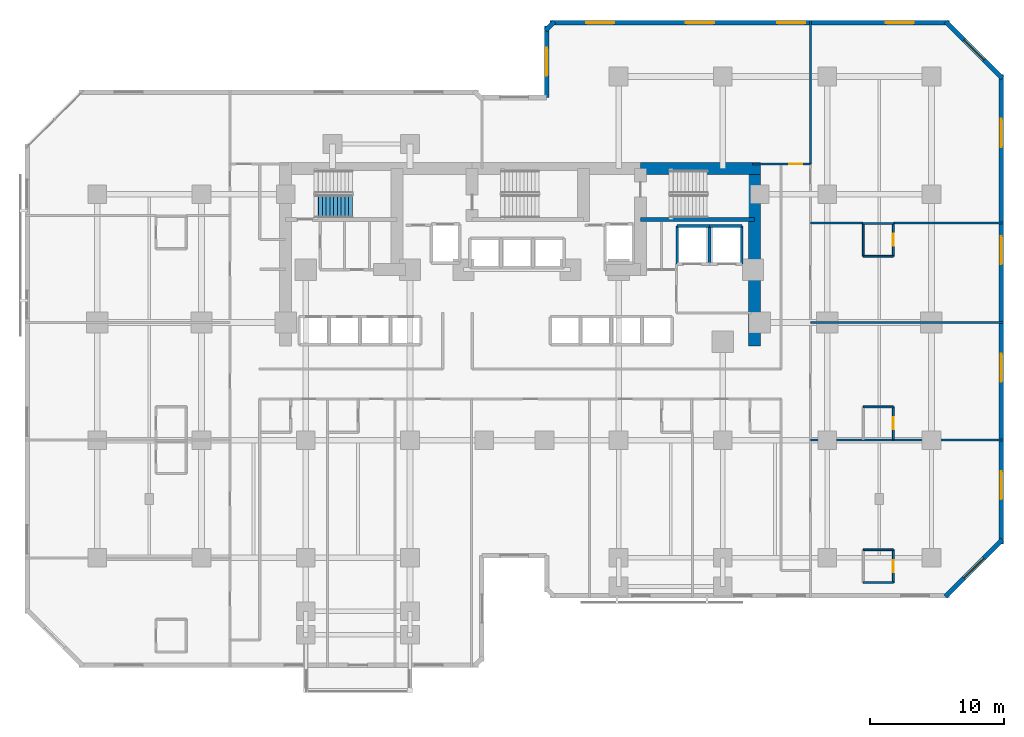
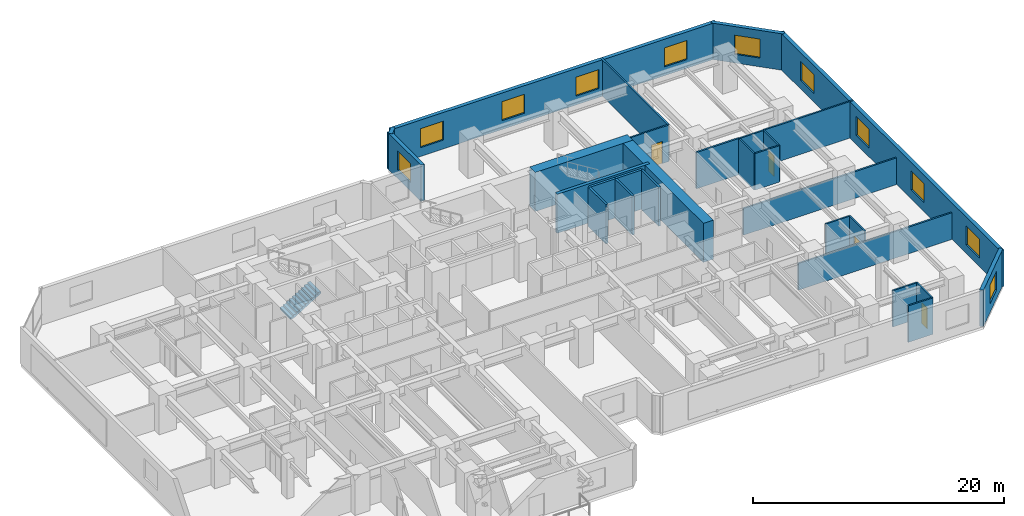
# One storey, part 9 of 12: 29 walls, 11 windows, 4 doors, 1 stair flight, 15 openings, 1 element without a shape of its own.
"""IFC4 building model written with IfcOpenShell, lengths in metres."""

from ifc_helpers import new_model, si_unit, direction, frame, frame_2d, origin, place, context, subcontext, project, spatial, polyline, rectangle, outline, extrude, material, layer, layer_set, type_object, element, fill, aggregate, save


model = new_model("IFC4")

# Units and contexts
model_context = context("Model", 3, precision=1e-05, world=origin(), true_north=direction((0.0, 1.0)))
body_context = subcontext(model_context, "Body", "Model", "MODEL_VIEW")
ifc_project = project(units=[si_unit("LENGTHUNIT", "METRE"), si_unit("AREAUNIT", "SQUARE_METRE"), si_unit("VOLUMEUNIT", "CUBIC_METRE"), si_unit("PLANEANGLEUNIT", "RADIAN"), si_unit("MASSUNIT", "GRAM", prefix="KILO")], contexts=[model_context])

# Site, building, storey
site_placement = place(None, origin())
site = spatial("IfcSite", under=ifc_project, at=site_placement, CompositionType="ELEMENT")
building_placement = place(site_placement, origin())
building = spatial("IfcBuilding", under=site, at=building_placement, Name="Kestravale Grand Hotel", CompositionType="ELEMENT")
storey_placement = place(building_placement, frame((0.0, 0.0, 56.39990234375)))
storey = spatial("IfcBuildingStorey", under=building, at=storey_placement, Name="L13", CompositionType="ELEMENT", Elevation=56.39990234375)

# Walls
ifc_material_1 = material(Name="Concrete f'c 70 MPa", Category="concrete")
ifc_layer_1 = layer(ifc_material_1, 0.89990234375)
ifc_layer_set_1 = layer_set([ifc_layer_1], Name="EW-CORE-900")
wall_type_1 = type_object("IfcWallType", Name="EW-CORE-900", PredefinedType="SHEAR", material=ifc_layer_set_1)
wall_1_placement = place(storey_placement, frame((48.449951171875, 40.320068359375, 0.0), z_axis=(0.0, 0.0, 1.0), x_axis=(1.0, 0.0, 0.0)))
element("IfcWall", 1, at=wall_1_placement, inside=storey, type_object=wall_type_1, Name="L13 core shear wall N3", PredefinedType="SHEAR", context=body_context, shape_type="SweptSolid", body=[
    extrude(rectangle(XDim=8.969970703125, YDim=0.89990234375, at=frame_2d((4.48486328125, 0.0))), origin(), (0.0, 0.0, 1.0), 3.800048828125),
])
wall_2_placement = place(storey_placement, frame((56.969970703125, 27.050048828125, 0.0), z_axis=(0.0, 0.0, 1.0), x_axis=(0.0, 1.0, 0.0)))
element("IfcWall", 2, at=wall_2_placement, inside=storey, type_object=wall_type_1, Name="L13 core shear wall E1", PredefinedType="SHEAR", context=body_context, shape_type="SweptSolid", body=[
    extrude(rectangle(XDim=13.719970703125, YDim=0.89990234375, at=frame_2d((6.85986328125, 0.0))), origin(), (0.0, 0.0, 1.0), 3.800048828125),
])

# Wall, opening, window
ifc_material_2 = material(Name="Precast concrete f'c 45 MPa", Category="concrete")
ifc_layer_2 = layer(ifc_material_2, 0.340087890625)
ifc_layer_set_2 = layer_set([ifc_layer_2], Name="EW-PREC-340")
wall_type_2 = type_object("IfcWallType", Name="EW-PREC-340", PredefinedType="SOLIDWALL", material=ifc_layer_set_2)
wall_3_placement = place(storey_placement, frame((71.25146484375, 8.2919921875, 0.0), z_axis=(0.0, 0.0, 1.0), x_axis=(0.707106781187, 0.707106781187, 0.0)))
wall_3 = element("IfcWall", 3, at=wall_3_placement, inside=storey, type_object=wall_type_2, Name="L13 fluted precast facade wall 8", PredefinedType="SOLIDWALL", context=body_context, shape_type="SweptSolid", body=[
    extrude(rectangle(XDim=6.019775390625, YDim=0.340087890625, at=frame_2d((3.009765625, 0.0))), origin(), (0.0, 0.0, 1.0), 3.5400390625),
])
opening_1_placement = place(wall_3_placement, frame((1.9599609375, 0.0, 0.85009765625)))
opening_1 = element("IfcOpeningElement", 4, at=opening_1_placement, cuts=wall_3, Name="Opening W-GUEST-2100", PredefinedType="OPENING", context=body_context, shape_type="SweptSolid", body=[
    extrude(rectangle(XDim=2.10009765625, YDim=1.85009765625, at=frame_2d((1.050048828125, 0.925048828125))), frame((0.0, 0.179931640625, 0.0), z_axis=(0.0, -1.0, 0.0), x_axis=(1.0, 0.0, 0.0)), (0.0, 0.0, 1.0), 0.360107421875),
])
ifc_material_3 = material(Name="Insulated low-E double glazing in aluminium frame", Category="aluminium")
window_type = type_object("IfcWindowType", Name="W-GUEST-2100", PartitioningType="DOUBLE_PANEL_VERTICAL", PredefinedType="WINDOW", material=ifc_material_3)
window_1_placement = place(opening_1_placement, origin())
window_1 = element("IfcWindow", 5, at=window_1_placement, inside=storey, type_object=window_type, Name="L13 exterior window 8.1", OverallHeight=1.85009765625, OverallWidth=2.10009765625, PartitioningType="SINGLE_PANEL", PredefinedType="WINDOW", context=body_context, shape_type="SweptSolid", body=[
    extrude(rectangle(XDim=2.10009765625, YDim=1.85009765625, at=frame_2d((1.050048828125, 0.925048828125))), frame((0.0, 0.030029296875, 0.0), z_axis=(0.0, -1.0, 0.0), x_axis=(1.0, 0.0, 0.0)), (0.0, 0.0, 1.0), 0.06005859375),
])
fill(opening_1, window_1)

# Wall, openings, windows
wall_4_placement = place(storey_placement, frame((75.429931640625, 12.22998046875, 0.0), z_axis=(0.0, 0.0, 1.0), x_axis=(0.0, 1.0, 0.0)))
wall_4 = element("IfcWall", 6, at=wall_4_placement, inside=storey, type_object=wall_type_2, Name="L13 fluted precast facade wall 9", PredefinedType="SOLIDWALL", context=body_context, shape_type="SweptSolid", body=[
    extrude(rectangle(XDim=35.14013671875, YDim=0.340087890625, at=frame_2d((17.570068359375, 0.0))), origin(), (0.0, 0.0, 1.0), 3.5400390625),
])
opening_2_placement = place(wall_4_placement, frame((3.342529296875, 0.0, 0.85009765625)))
opening_2 = element("IfcOpeningElement", 7, at=opening_2_placement, cuts=wall_4, Name="Opening W-GUEST-2100", PredefinedType="OPENING", context=body_context, shape_type="SweptSolid", body=[
    extrude(rectangle(XDim=2.10009765625, YDim=1.85009765625, at=frame_2d((1.050048828125, 0.925048828125))), frame((0.0, 0.179931640625, 0.0), z_axis=(0.0, -1.0, 0.0), x_axis=(1.0, 0.0, 0.0)), (0.0, 0.0, 1.0), 0.360107421875),
])
opening_3_placement = place(wall_4_placement, frame((12.12744140625, 0.0, 0.85009765625)))
opening_3 = element("IfcOpeningElement", 8, at=opening_3_placement, cuts=wall_4, Name="Opening W-GUEST-2100", PredefinedType="OPENING", context=body_context, shape_type="SweptSolid", body=[
    extrude(rectangle(XDim=2.10009765625, YDim=1.85009765625, at=frame_2d((1.050048828125, 0.925048828125))), frame((0.0, 0.179931640625, 0.0), z_axis=(0.0, -1.0, 0.0), x_axis=(1.0, 0.0, 0.0)), (0.0, 0.0, 1.0), 0.360107421875),
])
opening_4_placement = place(wall_4_placement, frame((20.91259765625, 0.0, 0.85009765625)))
opening_4 = element("IfcOpeningElement", 9, at=opening_4_placement, cuts=wall_4, Name="Opening W-GUEST-2100", PredefinedType="OPENING", context=body_context, shape_type="SweptSolid", body=[
    extrude(rectangle(XDim=2.10009765625, YDim=1.85009765625, at=frame_2d((1.050048828125, 0.925048828125))), frame((0.0, 0.179931640625, 0.0), z_axis=(0.0, -1.0, 0.0), x_axis=(1.0, 0.0, 0.0)), (0.0, 0.0, 1.0), 0.360107421875),
])
opening_5_placement = place(wall_4_placement, frame((29.697509765625, 0.0, 0.85009765625)))
opening_5 = element("IfcOpeningElement", 10, at=opening_5_placement, cuts=wall_4, Name="Opening W-GUEST-2100", PredefinedType="OPENING", context=body_context, shape_type="SweptSolid", body=[
    extrude(rectangle(XDim=2.10009765625, YDim=1.85009765625, at=frame_2d((1.050048828125, 0.925048828125))), frame((0.0, 0.179931640625, 0.0), z_axis=(0.0, -1.0, 0.0), x_axis=(1.0, 0.0, 0.0)), (0.0, 0.0, 1.0), 0.360107421875),
])
window_2_placement = place(opening_2_placement, origin())
window_2 = element("IfcWindow", 11, at=window_2_placement, inside=storey, type_object=window_type, Name="L13 exterior window 9.1", OverallHeight=1.85009765625, OverallWidth=2.10009765625, PartitioningType="SINGLE_PANEL", PredefinedType="WINDOW", context=body_context, shape_type="SweptSolid", body=[
    extrude(rectangle(XDim=2.10009765625, YDim=1.85009765625, at=frame_2d((1.050048828125, 0.925048828125))), frame((0.0, 0.030029296875, 0.0), z_axis=(0.0, -1.0, 0.0), x_axis=(1.0, 0.0, 0.0)), (0.0, 0.0, 1.0), 0.06005859375),
])
fill(opening_2, window_2)
window_3_placement = place(opening_3_placement, origin())
window_3 = element("IfcWindow", 12, at=window_3_placement, inside=storey, type_object=window_type, Name="L13 exterior window 9.2", OverallHeight=1.85009765625, OverallWidth=2.10009765625, PartitioningType="SINGLE_PANEL", PredefinedType="WINDOW", context=body_context, shape_type="SweptSolid", body=[
    extrude(rectangle(XDim=2.10009765625, YDim=1.85009765625, at=frame_2d((1.050048828125, 0.925048828125))), frame((0.0, 0.030029296875, 0.0), z_axis=(0.0, -1.0, 0.0), x_axis=(1.0, 0.0, 0.0)), (0.0, 0.0, 1.0), 0.06005859375),
])
fill(opening_3, window_3)
window_4_placement = place(opening_4_placement, origin())
window_4 = element("IfcWindow", 13, at=window_4_placement, inside=storey, type_object=window_type, Name="L13 exterior window 9.3", OverallHeight=1.85009765625, OverallWidth=2.10009765625, PartitioningType="SINGLE_PANEL", PredefinedType="WINDOW", context=body_context, shape_type="SweptSolid", body=[
    extrude(rectangle(XDim=2.10009765625, YDim=1.85009765625, at=frame_2d((1.050048828125, 0.925048828125))), frame((0.0, 0.030029296875, 0.0), z_axis=(0.0, -1.0, 0.0), x_axis=(1.0, 0.0, 0.0)), (0.0, 0.0, 1.0), 0.06005859375),
])
fill(opening_4, window_4)
window_5_placement = place(opening_5_placement, origin())
window_5 = element("IfcWindow", 14, at=window_5_placement, inside=storey, type_object=window_type, Name="L13 exterior window 9.4", OverallHeight=1.85009765625, OverallWidth=2.10009765625, PartitioningType="SINGLE_PANEL", PredefinedType="WINDOW", context=body_context, shape_type="SweptSolid", body=[
    extrude(rectangle(XDim=2.10009765625, YDim=1.85009765625, at=frame_2d((1.050048828125, 0.925048828125))), frame((0.0, 0.030029296875, 0.0), z_axis=(0.0, -1.0, 0.0), x_axis=(1.0, 0.0, 0.0)), (0.0, 0.0, 1.0), 0.06005859375),
])
fill(opening_5, window_5)

# Wall, opening, window
wall_5_placement = place(storey_placement, frame((75.508056640625, 47.051513671875, 0.0), z_axis=(0.0, 0.0, 1.0), x_axis=(-0.707106781187, 0.707106781187, 0.0)))
wall_5 = element("IfcWall", 15, at=wall_5_placement, inside=storey, type_object=wall_type_2, Name="L13 fluted precast facade wall 10", PredefinedType="SOLIDWALL", context=body_context, shape_type="SweptSolid", body=[
    extrude(rectangle(XDim=6.019775390625, YDim=0.340087890625, at=frame_2d((3.009765625, 0.0))), origin(), (0.0, 0.0, 1.0), 3.5400390625),
])
opening_6_placement = place(wall_5_placement, frame((1.9599609375, 0.0, 0.85009765625)))
opening_6 = element("IfcOpeningElement", 16, at=opening_6_placement, cuts=wall_5, Name="Opening W-GUEST-2100", PredefinedType="OPENING", context=body_context, shape_type="SweptSolid", body=[
    extrude(rectangle(XDim=2.10009765625, YDim=1.85009765625, at=frame_2d((1.050048828125, 0.925048828125))), frame((0.0, 0.179931640625, 0.0), z_axis=(0.0, -1.0, 0.0), x_axis=(1.0, 0.0, 0.0)), (0.0, 0.0, 1.0), 0.360107421875),
])
window_6_placement = place(opening_6_placement, origin())
window_6 = element("IfcWindow", 17, at=window_6_placement, inside=storey, type_object=window_type, Name="L13 exterior window 10.1", OverallHeight=1.85009765625, OverallWidth=2.10009765625, PartitioningType="SINGLE_PANEL", PredefinedType="WINDOW", context=body_context, shape_type="SweptSolid", body=[
    extrude(rectangle(XDim=2.10009765625, YDim=1.85009765625, at=frame_2d((1.050048828125, 0.925048828125))), frame((0.0, 0.030029296875, 0.0), z_axis=(0.0, -1.0, 0.0), x_axis=(1.0, 0.0, 0.0)), (0.0, 0.0, 1.0), 0.06005859375),
])
fill(opening_6, window_6)

# Wall, openings, windows
wall_6_placement = place(storey_placement, frame((71.570068359375, 51.22998046875, 0.0), z_axis=(0.0, 0.0, 1.0), x_axis=(-1.0, 0.0, 0.0)))
wall_6 = element("IfcWall", 18, at=wall_6_placement, inside=storey, type_object=wall_type_2, Name="L13 fluted precast facade wall 11", PredefinedType="SOLIDWALL", context=body_context, shape_type="SweptSolid", body=[
    extrude(rectangle(XDim=29.89013671875, YDim=0.340087890625, at=frame_2d((14.945068359375, 0.0))), origin(), (0.0, 0.0, 1.0), 3.5400390625),
])
opening_7_placement = place(wall_6_placement, frame((2.686279296875, 0.0, 0.85009765625)))
opening_7 = element("IfcOpeningElement", 19, at=opening_7_placement, cuts=wall_6, Name="Opening W-GUEST-2100", PredefinedType="OPENING", context=body_context, shape_type="SweptSolid", body=[
    extrude(rectangle(XDim=2.10009765625, YDim=1.85009765625, at=frame_2d((1.050048828125, 0.925048828125))), frame((0.0, 0.179931640625, 0.0), z_axis=(0.0, -1.0, 0.0), x_axis=(1.0, 0.0, 0.0)), (0.0, 0.0, 1.0), 0.360107421875),
])
opening_8_placement = place(wall_6_placement, frame((10.80859375, 0.0, 0.85009765625)))
opening_8 = element("IfcOpeningElement", 20, at=opening_8_placement, cuts=wall_6, Name="Opening W-GUEST-2100", PredefinedType="OPENING", context=body_context, shape_type="SweptSolid", body=[
    extrude(rectangle(XDim=2.10009765625, YDim=1.85009765625, at=frame_2d((1.050048828125, 0.925048828125))), frame((0.0, 0.179931640625, 0.0), z_axis=(0.0, -1.0, 0.0), x_axis=(1.0, 0.0, 0.0)), (0.0, 0.0, 1.0), 0.360107421875),
])
opening_9_placement = place(wall_6_placement, frame((17.631103515625, 0.0, 0.85009765625)))
opening_9 = element("IfcOpeningElement", 21, at=opening_9_placement, cuts=wall_6, Name="Opening W-GUEST-2100", PredefinedType="OPENING", context=body_context, shape_type="SweptSolid", body=[
    extrude(rectangle(XDim=2.10009765625, YDim=1.85009765625, at=frame_2d((1.050048828125, 0.925048828125))), frame((0.0, 0.179931640625, 0.0), z_axis=(0.0, -1.0, 0.0), x_axis=(1.0, 0.0, 0.0)), (0.0, 0.0, 1.0), 0.360107421875),
])
opening_10_placement = place(wall_6_placement, frame((25.103759765625, 0.0, 0.85009765625)))
opening_10 = element("IfcOpeningElement", 22, at=opening_10_placement, cuts=wall_6, Name="Opening W-GUEST-2100", PredefinedType="OPENING", context=body_context, shape_type="SweptSolid", body=[
    extrude(rectangle(XDim=2.10009765625, YDim=1.85009765625, at=frame_2d((1.050048828125, 0.925048828125))), frame((0.0, 0.179931640625, 0.0), z_axis=(0.0, -1.0, 0.0), x_axis=(1.0, 0.0, 0.0)), (0.0, 0.0, 1.0), 0.360107421875),
])
window_7_placement = place(opening_7_placement, origin())
window_7 = element("IfcWindow", 23, at=window_7_placement, inside=storey, type_object=window_type, Name="L13 exterior window 11.1", OverallHeight=1.85009765625, OverallWidth=2.10009765625, PartitioningType="SINGLE_PANEL", PredefinedType="WINDOW", context=body_context, shape_type="SweptSolid", body=[
    extrude(rectangle(XDim=2.10009765625, YDim=1.85009765625, at=frame_2d((1.050048828125, 0.925048828125))), frame((0.0, 0.030029296875, 0.0), z_axis=(0.0, -1.0, 0.0), x_axis=(1.0, 0.0, 0.0)), (0.0, 0.0, 1.0), 0.06005859375),
])
fill(opening_7, window_7)
window_8_placement = place(opening_8_placement, origin())
window_8 = element("IfcWindow", 24, at=window_8_placement, inside=storey, type_object=window_type, Name="L13 exterior window 11.2", OverallHeight=1.85009765625, OverallWidth=2.10009765625, PartitioningType="SINGLE_PANEL", PredefinedType="WINDOW", context=body_context, shape_type="SweptSolid", body=[
    extrude(rectangle(XDim=2.10009765625, YDim=1.85009765625, at=frame_2d((1.050048828125, 0.925048828125))), frame((0.0, 0.030029296875, 0.0), z_axis=(0.0, -1.0, 0.0), x_axis=(1.0, 0.0, 0.0)), (0.0, 0.0, 1.0), 0.06005859375),
])
fill(opening_8, window_8)
window_9_placement = place(opening_9_placement, origin())
window_9 = element("IfcWindow", 25, at=window_9_placement, inside=storey, type_object=window_type, Name="L13 exterior window 11.3", OverallHeight=1.85009765625, OverallWidth=2.10009765625, PartitioningType="SINGLE_PANEL", PredefinedType="WINDOW", context=body_context, shape_type="SweptSolid", body=[
    extrude(rectangle(XDim=2.10009765625, YDim=1.85009765625, at=frame_2d((1.050048828125, 0.925048828125))), frame((0.0, 0.030029296875, 0.0), z_axis=(0.0, -1.0, 0.0), x_axis=(1.0, 0.0, 0.0)), (0.0, 0.0, 1.0), 0.06005859375),
])
fill(opening_9, window_9)
window_10_placement = place(opening_10_placement, origin())
window_10 = element("IfcWindow", 26, at=window_10_placement, inside=storey, type_object=window_type, Name="L13 exterior window 11.4", OverallHeight=1.85009765625, OverallWidth=2.10009765625, PartitioningType="SINGLE_PANEL", PredefinedType="WINDOW", context=body_context, shape_type="SweptSolid", body=[
    extrude(rectangle(XDim=2.10009765625, YDim=1.85009765625, at=frame_2d((1.050048828125, 0.925048828125))), frame((0.0, 0.030029296875, 0.0), z_axis=(0.0, -1.0, 0.0), x_axis=(1.0, 0.0, 0.0)), (0.0, 0.0, 1.0), 0.06005859375),
])
fill(opening_10, window_10)

# Wall
wall_7_placement = place(storey_placement, frame((41.99853515625, 51.30810546875, 0.0), z_axis=(0.0, 0.0, 1.0), x_axis=(-0.707238225886, -0.706975312048, 0.0)))
element("IfcWall", 27, at=wall_7_placement, inside=storey, type_object=wall_type_2, Name="L13 fluted precast facade wall 12", PredefinedType="SOLIDWALL", context=body_context, shape_type="SweptSolid", body=[
    extrude(rectangle(XDim=0.9287109375, YDim=0.340087890625, at=frame_2d((0.46435546875, 0.0))), origin(), (0.0, 0.0, 1.0), 3.5400390625),
])

# Wall, opening, window
wall_8_placement = place(storey_placement, frame((41.419921875, 50.969970703125, 0.0), z_axis=(0.0, 0.0, 1.0), x_axis=(0.0, -1.0, 0.0)))
wall_8 = element("IfcWall", 28, at=wall_8_placement, inside=storey, type_object=wall_type_2, Name="L13 fluted precast facade wall 13", PredefinedType="SOLIDWALL", context=body_context, shape_type="SweptSolid", body=[
    extrude(rectangle(XDim=5.340087890625, YDim=0.340087890625, at=frame_2d((2.669921875, 0.0))), origin(), (0.0, 0.0, 1.0), 3.5400390625),
])
opening_11_placement = place(wall_8_placement, frame((1.6201171875, 0.0, 0.85009765625)))
opening_11 = element("IfcOpeningElement", 29, at=opening_11_placement, cuts=wall_8, Name="Opening W-GUEST-2100", PredefinedType="OPENING", context=body_context, shape_type="SweptSolid", body=[
    extrude(rectangle(XDim=2.10009765625, YDim=1.85009765625, at=frame_2d((1.050048828125, 0.925048828125))), frame((0.0, 0.179931640625, 0.0), z_axis=(0.0, -1.0, 0.0), x_axis=(1.0, 0.0, 0.0)), (0.0, 0.0, 1.0), 0.360107421875),
])
window_11_placement = place(opening_11_placement, origin())
window_11 = element("IfcWindow", 30, at=window_11_placement, inside=storey, type_object=window_type, Name="L13 exterior window 13.1", OverallHeight=1.85009765625, OverallWidth=2.10009765625, PartitioningType="SINGLE_PANEL", PredefinedType="WINDOW", context=body_context, shape_type="SweptSolid", body=[
    extrude(rectangle(XDim=2.10009765625, YDim=1.85009765625, at=frame_2d((1.050048828125, 0.925048828125))), frame((0.0, 0.030029296875, 0.0), z_axis=(0.0, -1.0, 0.0), x_axis=(1.0, 0.0, 0.0)), (0.0, 0.0, 1.0), 0.06005859375),
])
fill(opening_11, window_11)

# Wall
ifc_material_4 = material(Name="Concrete f'c 45 MPa", Category="concrete")
ifc_layer_3 = layer(ifc_material_4, 0.300048828125)
ifc_layer_set_3 = layer_set([ifc_layer_3], Name="EW-STAIR-300")
wall_type_3 = type_object("IfcWallType", Name="EW-STAIR-300", PredefinedType="SHEAR", material=ifc_layer_set_3)
wall_9_placement = place(storey_placement, frame((48.449951171875, 36.52001953125, 0.0), z_axis=(0.0, 0.0, 1.0), x_axis=(1.0, 0.0, 0.0)))
element("IfcWall", 31, at=wall_9_placement, inside=storey, type_object=wall_type_3, Name="L13 stair enclosure shear wall SST3", PredefinedType="SHEAR", context=body_context, shape_type="SweptSolid", body=[
    extrude(rectangle(XDim=8.52001953125, YDim=0.300048828125, at=frame_2d((4.260009765625, 0.0))), origin(), (0.0, 0.0, 1.0), 3.800048828125),
])

# Wall, opening, door
ifc_material_5 = material(Name="Moisture-resistant tile-backer plumbing chase wall", Category="other")
ifc_layer_4 = layer(ifc_material_5, 0.139892578125)
ifc_layer_set_4 = layer_set([ifc_layer_4], Name="IW-PLB-140")
wall_type_4 = type_object("IfcWallType", Name="IW-PLB-140", PredefinedType="PLUMBINGWALL", material=ifc_layer_set_4)
wall_10_placement = place(storey_placement, frame((67.35009765625, 9.35009765625, 0.0), z_axis=(0.0, 0.0, 1.0), x_axis=(0.0, 1.0, 0.0)))
wall_10 = element("IfcWall", 32, at=wall_10_placement, inside=storey, type_object=wall_type_4, Name="W-L13-U09-BE", PredefinedType="PLUMBINGWALL", context=body_context, shape_type="SweptSolid", body=[
    extrude(rectangle(XDim=2.449951171875, YDim=0.139892578125, at=frame_2d((1.22509765625, 0.0))), origin(), (0.0, 0.0, 1.0), 3.5400390625),
])
opening_12_placement = place(wall_10_placement, frame((0.784912109375, 0.0, 0.0)))
opening_12 = element("IfcOpeningElement", 33, at=opening_12_placement, cuts=wall_10, Name="Opening D-BATH-880", PredefinedType="OPENING", context=body_context, shape_type="SweptSolid", body=[
    extrude(rectangle(XDim=0.8798828125, YDim=2.050048828125, at=frame_2d((0.43994140625, 1.02490234375))), frame((0.0, 0.079833984375, 0.0), z_axis=(0.0, -1.0, 0.0), x_axis=(1.0, 0.0, 0.0)), (0.0, 0.0, 1.0), 0.159912109375),
])
ifc_material_6 = material(Name="Moisture-sealed walnut en-suite bathroom door", Category="wood")
door_type_1 = type_object("IfcDoorType", Name="D-BATH-880", OperationType="NOTDEFINED", PredefinedType="DOOR", material=ifc_material_6)
door_1_placement = place(opening_12_placement, origin())
door_1 = element("IfcDoor", 34, at=door_1_placement, inside=storey, type_object=door_type_1, Name="D-L13-U09-BATH", OperationType="SINGLE_SWING_RIGHT", OverallHeight=2.050048828125, OverallWidth=0.8798828125, PredefinedType="DOOR", context=body_context, shape_type="SweptSolid", body=[
    extrude(rectangle(XDim=0.8798828125, YDim=2.050048828125, at=frame_2d((0.43994140625, 1.02490234375))), frame((0.0, 0.02490234375, 0.0), z_axis=(0.0, -1.0, 0.0), x_axis=(1.0, 0.0, 0.0)), (0.0, 0.0, 1.0), 0.050048828125),
])
fill(opening_12, door_1)

# Walls
for number, where, z_axis, x_axis, name in (
    (35, (65.10009765625, 9.35009765625, 0.0), (0.0, 0.0, 1.0), (1.0, 0.0, 0.0), "W-L13-U09-BS"),
    (36, (65.10009765625, 11.800048828125, 0.0), (0.0, 0.0, 1.0), (1.0, 0.0, 0.0), "W-L13-U09-BN"),
):
    element("IfcWall", number, at=place(storey_placement, frame(where, z_axis=z_axis, x_axis=x_axis)), inside=storey, type_object=wall_type_4, Name=name, PredefinedType="PLUMBINGWALL", context=body_context, shape_type="SweptSolid", body=[
        extrude(rectangle(XDim=2.25, YDim=0.139892578125, at=frame_2d((1.125, 0.0))), origin(), (0.0, 0.0, 1.0), 3.5400390625),
    ])

# Wall, opening, door
wall_11_placement = place(storey_placement, frame((67.35009765625, 20.0400390625, 0.0), z_axis=(0.0, 0.0, 1.0), x_axis=(0.0, 1.0, 0.0)))
wall_11 = element("IfcWall", 37, at=wall_11_placement, inside=storey, type_object=wall_type_4, Name="W-L13-U10-BE", PredefinedType="PLUMBINGWALL", context=body_context, shape_type="SweptSolid", body=[
    extrude(rectangle(XDim=2.449951171875, YDim=0.139892578125, at=frame_2d((1.22509765625, 0.0))), origin(), (0.0, 0.0, 1.0), 3.5400390625),
])
opening_13_placement = place(wall_11_placement, frame((0.784912109375, 0.0, 0.0)))
opening_13 = element("IfcOpeningElement", 38, at=opening_13_placement, cuts=wall_11, Name="Opening D-BATH-880", PredefinedType="OPENING", context=body_context, shape_type="SweptSolid", body=[
    extrude(rectangle(XDim=0.8798828125, YDim=2.050048828125, at=frame_2d((0.43994140625, 1.02490234375))), frame((0.0, 0.079833984375, 0.0), z_axis=(0.0, -1.0, 0.0), x_axis=(1.0, 0.0, 0.0)), (0.0, 0.0, 1.0), 0.159912109375),
])
door_2_placement = place(opening_13_placement, origin())
door_2 = element("IfcDoor", 39, at=door_2_placement, inside=storey, type_object=door_type_1, Name="D-L13-U10-BATH", OperationType="SINGLE_SWING_RIGHT", OverallHeight=2.050048828125, OverallWidth=0.8798828125, PredefinedType="DOOR", context=body_context, shape_type="SweptSolid", body=[
    extrude(rectangle(XDim=0.8798828125, YDim=2.050048828125, at=frame_2d((0.43994140625, 1.02490234375))), frame((0.0, 0.02490234375, 0.0), z_axis=(0.0, -1.0, 0.0), x_axis=(1.0, 0.0, 0.0)), (0.0, 0.0, 1.0), 0.050048828125),
])
fill(opening_13, door_2)

# Walls
wall_12_placement = place(storey_placement, frame((65.10009765625, 22.489990234375, 0.0), z_axis=(0.0, 0.0, 1.0), x_axis=(1.0, 0.0, 0.0)))
element("IfcWall", 40, at=wall_12_placement, inside=storey, type_object=wall_type_4, Name="W-L13-U10-BN", PredefinedType="PLUMBINGWALL", context=body_context, shape_type="SweptSolid", body=[
    extrude(rectangle(XDim=2.25, YDim=0.139892578125, at=frame_2d((1.125, 0.0))), origin(), (0.0, 0.0, 1.0), 3.5400390625),
])
wall_13_placement = place(storey_placement, frame((65.10009765625, 33.760009765625, 0.0), z_axis=(0.0, 0.0, 1.0), x_axis=(0.0, 1.0, 0.0)))
element("IfcWall", 41, at=wall_13_placement, inside=storey, type_object=wall_type_4, Name="W-L13-U11-BW", PredefinedType="PLUMBINGWALL", context=body_context, shape_type="SweptSolid", body=[
    extrude(rectangle(XDim=2.449951171875, YDim=0.139892578125, at=frame_2d((1.22509765625, 0.0))), origin(), (0.0, 0.0, 1.0), 3.5400390625),
])

# Wall, opening, door
wall_14_placement = place(storey_placement, frame((67.35009765625, 33.760009765625, 0.0), z_axis=(0.0, 0.0, 1.0), x_axis=(0.0, 1.0, 0.0)))
wall_14 = element("IfcWall", 42, at=wall_14_placement, inside=storey, type_object=wall_type_4, Name="W-L13-U11-BE", PredefinedType="PLUMBINGWALL", context=body_context, shape_type="SweptSolid", body=[
    extrude(rectangle(XDim=2.449951171875, YDim=0.139892578125, at=frame_2d((1.22509765625, 0.0))), origin(), (0.0, 0.0, 1.0), 3.5400390625),
])
opening_14_placement = place(wall_14_placement, frame((0.784912109375, 0.0, 0.0)))
opening_14 = element("IfcOpeningElement", 43, at=opening_14_placement, cuts=wall_14, Name="Opening D-BATH-880", PredefinedType="OPENING", context=body_context, shape_type="SweptSolid", body=[
    extrude(rectangle(XDim=0.8798828125, YDim=2.050048828125, at=frame_2d((0.43994140625, 1.02490234375))), frame((0.0, 0.079833984375, 0.0), z_axis=(0.0, -1.0, 0.0), x_axis=(1.0, 0.0, 0.0)), (0.0, 0.0, 1.0), 0.159912109375),
])
door_3_placement = place(opening_14_placement, origin())
door_3 = element("IfcDoor", 44, at=door_3_placement, inside=storey, type_object=door_type_1, Name="D-L13-U11-BATH", OperationType="SINGLE_SWING_RIGHT", OverallHeight=2.050048828125, OverallWidth=0.8798828125, PredefinedType="DOOR", context=body_context, shape_type="SweptSolid", body=[
    extrude(rectangle(XDim=0.8798828125, YDim=2.050048828125, at=frame_2d((0.43994140625, 1.02490234375))), frame((0.0, 0.02490234375, 0.0), z_axis=(0.0, -1.0, 0.0), x_axis=(1.0, 0.0, 0.0)), (0.0, 0.0, 1.0), 0.050048828125),
])
fill(opening_14, door_3)

# Walls
for number, where, z_axis, x_axis, name in (
    (45, (65.10009765625, 33.760009765625, 0.0), (0.0, 0.0, 1.0), (1.0, 0.0, 0.0), "W-L13-U11-BS"),
    (46, (65.10009765625, 36.2099609375, 0.0), (0.0, 0.0, 1.0), (1.0, 0.0, 0.0), "W-L13-U11-BN"),
):
    element("IfcWall", number, at=place(storey_placement, frame(where, z_axis=z_axis, x_axis=x_axis)), inside=storey, type_object=wall_type_4, Name=name, PredefinedType="PLUMBINGWALL", context=body_context, shape_type="SweptSolid", body=[
        extrude(rectangle(XDim=2.25, YDim=0.139892578125, at=frame_2d((1.125, 0.0))), origin(), (0.0, 0.0, 1.0), 3.5400390625),
    ])
ifc_material_7 = material(Name="Concrete f'c 45 MPa", Category="concrete")
ifc_layer_5 = layer(ifc_material_7, 0.199951171875)
ifc_layer_set_5 = layer_set([ifc_layer_5], Name="IW-SHAFT-200")
wall_type_5 = type_object("IfcWallType", Name="IW-SHAFT-200", PredefinedType="SHEAR", material=ifc_layer_set_5)
for number, where, z_axis, x_axis, name in (
    (47, (51.179931640625, 33.169921875, 0.0), (0.0, 0.0, 1.0), (0.0, 1.0, 0.0), "L13 SL-1 west shaft wall"),
    (48, (53.60009765625, 33.169921875, 0.0), (0.0, 0.0, 1.0), (0.0, 1.0, 0.0), "L13 SL-2 west shaft wall"),
    (49, (56.02001953125, 33.169921875, 0.0), (0.0, 0.0, 1.0), (0.0, 1.0, 0.0), "L13 SL-2 east shaft wall"),
):
    element("IfcWall", number, at=place(storey_placement, frame(where, z_axis=z_axis, x_axis=x_axis)), inside=storey, type_object=wall_type_5, Name=name, PredefinedType="SHEAR", context=body_context, shape_type="SweptSolid", body=[
        extrude(rectangle(XDim=2.860107421875, YDim=0.199951171875, at=frame_2d((1.43017578125, 0.0))), origin(), (0.0, 0.0, 1.0), 3.800048828125),
    ])
ifc_material_8 = material(Name="Concrete f'c 45 MPa", Category="concrete")
ifc_layer_6 = layer(ifc_material_8, 0.219970703125)
ifc_layer_set_6 = layer_set([ifc_layer_6], Name="IW-SHAFT-220")
wall_type_6 = type_object("IfcWallType", Name="IW-SHAFT-220", PredefinedType="SHEAR", material=ifc_layer_set_6)
wall_15_placement = place(storey_placement, frame((51.179931640625, 36.030029296875, 0.0), z_axis=(0.0, 0.0, 1.0), x_axis=(1.0, 0.0, 0.0)))
element("IfcWall", 50, at=wall_15_placement, inside=storey, type_object=wall_type_6, Name="L13 SL-1 north shaft wall", PredefinedType="SHEAR", context=body_context, shape_type="SweptSolid", body=[
    extrude(rectangle(XDim=2.420166015625, YDim=0.219970703125, at=frame_2d((1.2099609375, 0.0))), origin(), (0.0, 0.0, 1.0), 3.800048828125),
])
wall_16_placement = place(storey_placement, frame((53.60009765625, 36.030029296875, 0.0), z_axis=(0.0, 0.0, 1.0), x_axis=(1.0, 0.0, 0.0)))
element("IfcWall", 51, at=wall_16_placement, inside=storey, type_object=wall_type_6, Name="L13 SL-2 north shaft wall", PredefinedType="SHEAR", context=body_context, shape_type="SweptSolid", body=[
    extrude(rectangle(XDim=2.419921875, YDim=0.219970703125, at=frame_2d((1.2099609375, 0.0))), origin(), (0.0, 0.0, 1.0), 3.800048828125),
])

# Wall, opening, door
ifc_material_9 = material(Name="Double-stud STC 52 acoustic demising partition", Category="other")
ifc_layer_7 = layer(ifc_material_9, 0.14990234375)
ifc_layer_set_7 = layer_set([ifc_layer_7], Name="IW-UNIT-150")
wall_type_7 = type_object("IfcWallType", Name="IW-UNIT-150", PredefinedType="PARTITIONING", material=ifc_layer_set_7)
wall_17_placement = place(storey_placement, frame((56.800048828125, 40.64990234375, 0.0), z_axis=(0.0, 0.0, 1.0), x_axis=(1.0, 0.0, 0.0)))
wall_17 = element("IfcWall", 52, at=wall_17_placement, inside=storey, type_object=wall_type_7, Name="W-L13-SE-N", PredefinedType="PARTITIONING", context=body_context, shape_type="SweptSolid", body=[
    extrude(rectangle(XDim=4.35986328125, YDim=0.14990234375, at=frame_2d((2.179931640625, 0.0))), origin(), (0.0, 0.0, 1.0), 3.5400390625),
])
opening_15_placement = place(wall_17_placement, frame((2.75, 0.0, 0.0)))
opening_15 = element("IfcOpeningElement", 53, at=opening_15_placement, cuts=wall_17, Name="Opening D-GUEST-1000", PredefinedType="OPENING", context=body_context, shape_type="SweptSolid", body=[
    extrude(rectangle(XDim=1.0, YDim=2.14990234375, at=frame_2d((0.5, 1.074951171875))), frame((0.0, 0.0849609375, 0.0), z_axis=(0.0, -1.0, 0.0), x_axis=(1.0, 0.0, 0.0)), (0.0, 0.0, 1.0), 0.169921875),
])
ifc_material_10 = material(Name="Accessible walnut veneer hotel entrance fire door", Category="wood")
door_type_2 = type_object("IfcDoorType", Name="D-GUEST-1000", OperationType="NOTDEFINED", PredefinedType="DOOR", material=ifc_material_10)
door_4_placement = place(opening_15_placement, origin())
door_4 = element("IfcDoor", 54, at=door_4_placement, inside=storey, type_object=door_type_2, Name="L13 NE Gallery Door", OperationType="SINGLE_SWING_LEFT", OverallHeight=2.14990234375, OverallWidth=1.0, PredefinedType="DOOR", context=body_context, shape_type="SweptSolid", body=[
    extrude(rectangle(XDim=1.0, YDim=2.14990234375, at=frame_2d((0.5, 1.074951171875))), frame((0.0, 0.02490234375, 0.0), z_axis=(0.0, -1.0, 0.0), x_axis=(1.0, 0.0, 0.0)), (0.0, 0.0, 1.0), 0.050048828125),
])
fill(opening_15, door_4)

# Walls
wall_18_placement = place(storey_placement, frame((61.159912109375, 40.64990234375, 0.0), z_axis=(0.0, 0.0, 1.0), x_axis=(0.0, 1.0, 0.0)))
element("IfcWall", 55, at=wall_18_placement, inside=storey, type_object=wall_type_7, Name="W-L13-NGE-E", PredefinedType="PARTITIONING", context=body_context, shape_type="SweptSolid", body=[
    extrude(rectangle(XDim=10.72998046875, YDim=0.14990234375, at=frame_2d((5.364990234375, 0.0))), origin(), (0.0, 0.0, 1.0), 3.5400390625),
])
for number, where, z_axis, x_axis, name in (
    (56, (61.159912109375, 20.0, 0.0), (0.0, 0.0, 1.0), (1.0, 0.0, 0.0), "W-L13-EW-1"),
    (57, (61.159912109375, 28.800048828125, 0.0), (0.0, 0.0, 1.0), (1.0, 0.0, 0.0), "W-L13-EW-2"),
):
    element("IfcWall", number, at=place(storey_placement, frame(where, z_axis=z_axis, x_axis=x_axis)), inside=storey, type_object=wall_type_7, Name=name, PredefinedType="PARTITIONING", context=body_context, shape_type="SweptSolid", body=[
        extrude(rectangle(XDim=14.420166015625, YDim=0.14990234375, at=frame_2d((7.2099609375, 0.0))), origin(), (0.0, 0.0, 1.0), 2.593017578125),
    ])
wall_19_placement = place(storey_placement, frame((61.159912109375, 36.25, 0.0), z_axis=(0.0, 0.0, 1.0), x_axis=(1.0, 0.0, 0.0)))
element("IfcWall", 58, at=wall_19_placement, inside=storey, type_object=wall_type_7, Name="W-L13-EW-3", PredefinedType="PARTITIONING", context=body_context, shape_type="SweptSolid", body=[
    extrude(rectangle(XDim=3.940185546875, YDim=0.14990234375, at=frame_2d((1.97021484375, 0.0))), origin(), (0.0, 0.0, 1.0), 3.5400390625),
])
wall_20_placement = place(storey_placement, frame((67.35009765625, 36.25, 0.0), z_axis=(0.0, 0.0, 1.0), x_axis=(1.0, 0.0, 0.0)))
element("IfcWall", 59, at=wall_20_placement, inside=storey, type_object=wall_type_7, Name="W-L13-EW-3", PredefinedType="PARTITIONING", context=body_context, shape_type="SweptSolid", body=[
    extrude(rectangle(XDim=8.22998046875, YDim=0.14990234375, at=frame_2d((4.114990234375, 0.0))), origin(), (0.0, 0.0, 1.0), 3.5400390625),
])

# Stair, stair flight
ifc_material_11 = material(Name="Concrete f'c 45 MPa", Category="concrete")
stair_type = type_object("IfcStairType", Name="ST-CORE-380", PredefinedType="HALF_TURN_STAIR", material=ifc_material_11)
stair_placement = place(storey_placement, origin())
stair = element("IfcStair", 60, at=stair_placement, inside=storey, type_object=stair_type, Name="L13 ST-1", PredefinedType="HALF_TURN_STAIR")
ifc_material_12 = material(Name="Concrete f'c 45 MPa", Category="concrete")
stair_flight_type = type_object("IfcStairFlightType", Name="STF-CORE-380", PredefinedType="STRAIGHT", material=ifc_material_12)
stair_flight_placement = place(storey_placement, frame((24.080078125, 37.489990234375, 0.0), z_axis=(0.0, 0.0, 1.0), x_axis=(1.0, 0.0, 0.0)))
stair_flight = element("IfcStairFlight", 61, at=stair_flight_placement, type_object=stair_flight_type, Name="ST-1 flight 1", NumberOfRisers=11, NumberOfTreads=10, PredefinedType="STRAIGHT", RiserHeight=0.172727273, TreadLength=0.28, context=body_context, shape_type="SweptSolid", body=[
    extrude(outline(polyline([(0.0, 0.0), (0.0, 0.172607421875), (0.280029296875, 0.172607421875), (0.280029296875, 0.345458984375), (0.56005859375, 0.345458984375), (0.56005859375, 0.51806640625), (0.840087890625, 0.51806640625), (0.840087890625, 0.69091796875), (1.1201171875, 0.69091796875), (1.1201171875, 0.863525390625), (1.39990234375, 0.863525390625), (1.39990234375, 1.036376953125), (1.679931640625, 1.036376953125), (1.679931640625, 1.208984375), (1.9599609375, 1.208984375), (1.9599609375, 1.3818359375), (2.239990234375, 1.3818359375), (2.239990234375, 1.554443359375), (2.52001953125, 1.554443359375), (2.52001953125, 1.727294921875), (2.800048828125, 1.727294921875), (2.800048828125, 1.89990234375), (2.800048828125, 1.551025390625), (0.285400390625, 0.0), (0.0, 0.0)])), frame((0.0, 0.83984375, 0.0), z_axis=(0.0, -1.0, 0.0), x_axis=(1.0, 0.0, 0.0)), (0.0, 0.0, 1.0), 1.679931640625),
])
aggregate(stair, [stair_flight])

save(model, "model.ifc")
